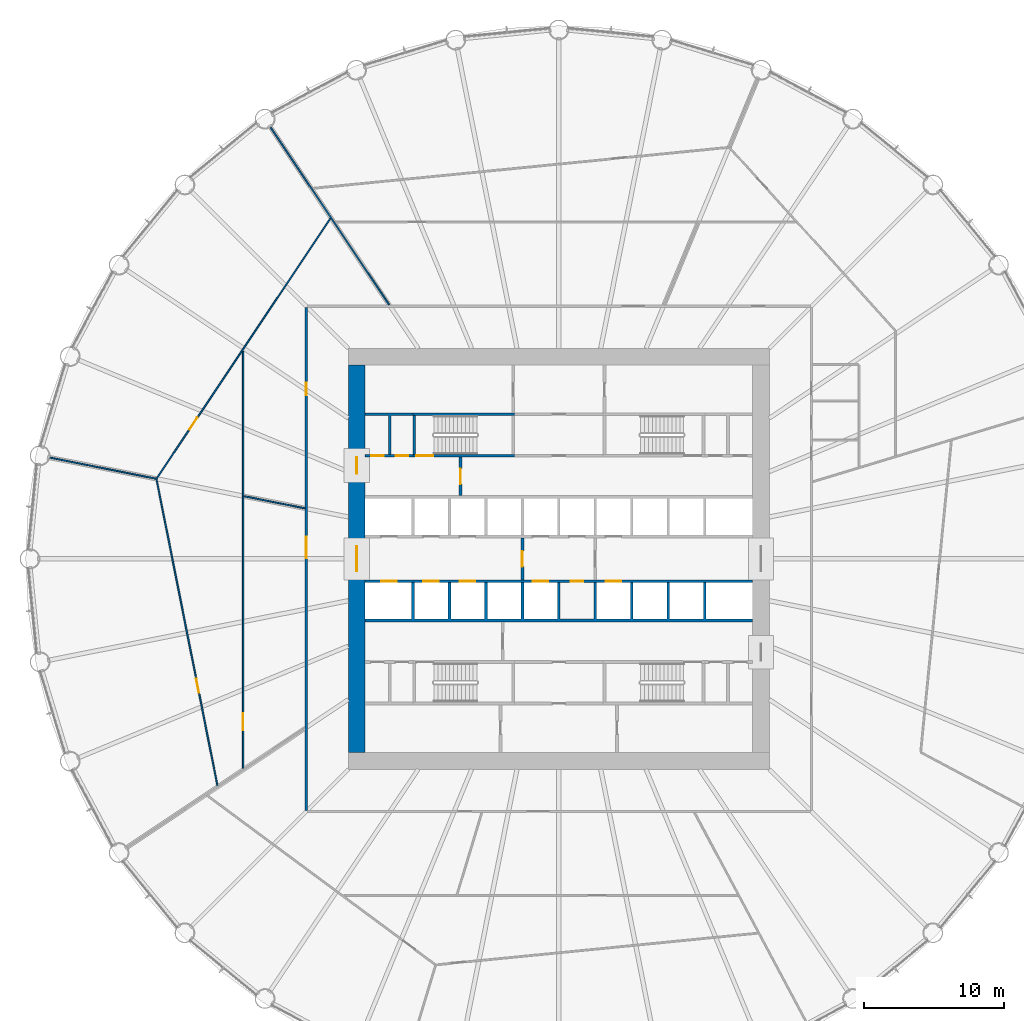
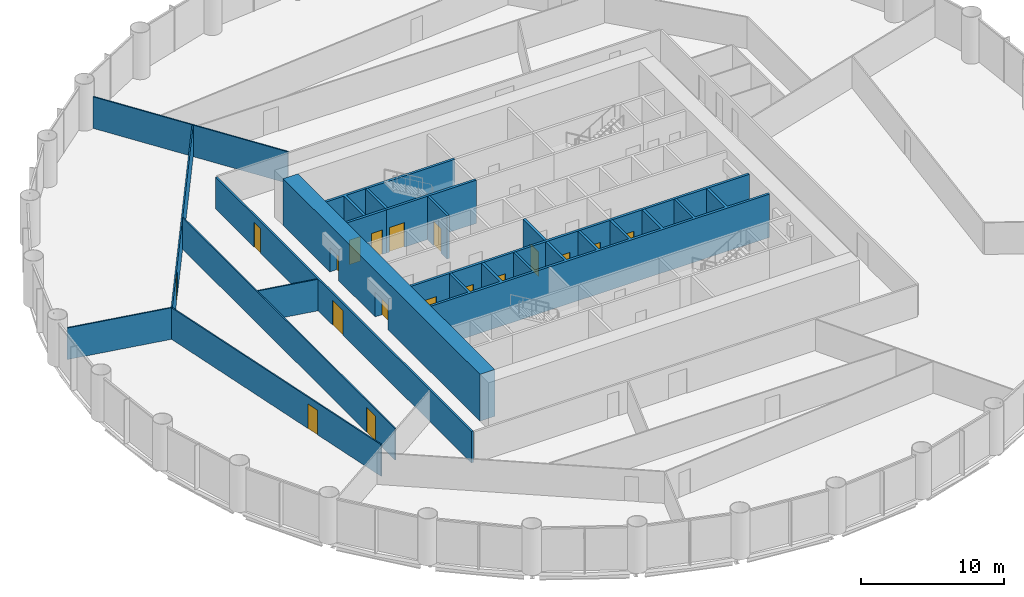
# One storey, part 11 of 14: 18 doors, 17 walls, 18 openings.
"""IFC4 building model written with IfcOpenShell, lengths in metres."""

from ifc_helpers import new_model, si_unit, direction, frame, frame_2d, origin, place, context, subcontext, project, spatial, polyline, rectangle, outline, extrude, material, layer, layer_set, type_object, element, fill, save


model = new_model("IFC4")

# Units and contexts
model_context = context("Model", 3, precision=1e-05, world=origin(), true_north=direction((0.0, 1.0)))
body_context = subcontext(model_context, "Body", "Model", "MODEL_VIEW")
ifc_project = project(units=[si_unit("LENGTHUNIT", "METRE"), si_unit("AREAUNIT", "SQUARE_METRE"), si_unit("VOLUMEUNIT", "CUBIC_METRE"), si_unit("PLANEANGLEUNIT", "RADIAN"), si_unit("MASSUNIT", "GRAM", prefix="KILO")], contexts=[model_context])

# Site, building, storey
site_placement = place(None, origin())
site = spatial("IfcSite", under=ifc_project, at=site_placement, CompositionType="ELEMENT")
building_placement = place(site_placement, origin())
building = spatial("IfcBuilding", under=site, at=building_placement, Name="Corvane Civic Tower", CompositionType="ELEMENT")
storey_placement = place(building_placement, frame((0.0, 0.0, 49.0)))
storey = spatial("IfcBuildingStorey", under=building, at=storey_placement, Name="L10", CompositionType="ELEMENT", Elevation=49.0)

# Wall, openings, doors
ifc_material_1 = material(Name="Concrete C80/95", Category="concrete")
ifc_layer_1 = layer(ifc_material_1, 1.199951171875)
ifc_layer_set_1 = layer_set([ifc_layer_1], Name="Concrete C80/95")
wall_type_1 = type_object("IfcWallType", Name="CORE WALL 1200 C80/95", PredefinedType="SHEAR", material=ifc_layer_set_1)
wall_1_placement = place(storey_placement, frame((-14.39990234375, -13.800048828125, 0.0), z_axis=(0.0, 0.0, 1.0), x_axis=(0.0, 1.0, 0.0)))
wall_1 = element("IfcWall", 1, at=wall_1_placement, inside=storey, type_object=wall_type_1, Name="W-L10-core-W", PredefinedType="SHEAR", context=body_context, shape_type="SweptSolid", body=[
    extrude(rectangle(XDim=27.60009765625, YDim=1.199951171875, at=frame_2d((13.800048828125, 0.0))), origin(), (0.0, 0.0, 1.0), 4.0),
])
opening_1_placement = place(wall_1_placement, frame((12.89990234375, 0.0, 0.0)))
opening_1 = element("IfcOpeningElement", 2, at=opening_1_placement, cuts=wall_1, Name="Opening L10.C26", PredefinedType="OPENING", context=body_context, shape_type="SweptSolid", body=[
    extrude(rectangle(XDim=1.800048828125, YDim=2.10009765625, at=frame_2d((0.89990234375, 1.050048828125))), frame((0.0, 0.60986328125, 0.0), z_axis=(0.0, -1.0, 0.0), x_axis=(1.0, 0.0, 0.0)), (0.0, 0.0, 1.0), 1.219970703125),
])
opening_2_placement = place(wall_1_placement, frame((19.85009765625, 0.0, 0.0)))
opening_2 = element("IfcOpeningElement", 3, at=opening_2_placement, cuts=wall_1, Name="Opening L10.C28", PredefinedType="OPENING", context=body_context, shape_type="SweptSolid", body=[
    extrude(rectangle(XDim=1.199951171875, YDim=2.10009765625, at=frame_2d((0.60009765625, 1.050048828125))), frame((0.0, 0.60986328125, 0.0), z_axis=(0.0, -1.0, 0.0), x_axis=(1.0, 0.0, 0.0)), (0.0, 0.0, 1.0), 1.219970703125),
])
ifc_material_2 = material(Name="Steel fire door leaf", Category="steel")
door_type_1 = type_object("IfcDoorType", Name="CR-DOOR-CORE-1800", OperationType="DOUBLE_DOOR_SINGLE_SWING", PredefinedType="DOOR", material=ifc_material_2)
door_1_placement = place(opening_1_placement, origin())
door_1 = element("IfcDoor", 4, at=door_1_placement, inside=storey, type_object=door_type_1, Name="L10 door", OperationType="DOUBLE_DOOR_SINGLE_SWING", OverallHeight=2.10009765625, OverallWidth=1.800048828125, PredefinedType="DOOR", context=body_context, shape_type="SweptSolid", body=[
    extrude(rectangle(XDim=1.800048828125, YDim=2.10009765625, at=frame_2d((0.89990234375, 1.050048828125))), frame((0.0, 0.02490234375, 0.0), z_axis=(0.0, -1.0, 0.0), x_axis=(1.0, 0.0, 0.0)), (0.0, 0.0, 1.0), 0.050048828125),
])
fill(opening_1, door_1)
door_2_placement = place(opening_2_placement, origin())
door_2 = element("IfcDoor", 5, at=door_2_placement, inside=storey, type_object=door_type_1, Name="L10 door", OperationType="DOUBLE_DOOR_SINGLE_SWING", OverallHeight=2.10009765625, OverallWidth=1.199951171875, PredefinedType="DOOR", context=body_context, shape_type="SweptSolid", body=[
    extrude(rectangle(XDim=1.199951171875, YDim=2.10009765625, at=frame_2d((0.60009765625, 1.050048828125))), frame((0.0, 0.02490234375, 0.0), z_axis=(0.0, -1.0, 0.0), x_axis=(1.0, 0.0, 0.0)), (0.0, 0.0, 1.0), 0.050048828125),
])
fill(opening_2, door_2)

ifc_material_3 = material(Name="Concrete C30/37", Category="concrete")
ifc_layer_2 = layer(ifc_material_3, 0.199951171875)
ifc_layer_set_2 = layer_set([ifc_layer_2], Name="Concrete C30/37")
wall_type_2 = type_object("IfcWallType", Name="CR-WALL-200", PredefinedType="PARTITIONING", material=ifc_layer_set_2)
wall_2_placement = place(storey_placement, frame((-13.800048828125, -1.60009765625, 0.0), z_axis=(0.0, 0.0, 1.0), x_axis=(1.0, 0.0, 0.0)))
wall_2 = element("IfcWall", 6, at=wall_2_placement, inside=storey, type_object=wall_type_2, Name="L10 lift shaft wall", PredefinedType="PARTITIONING", context=body_context, shape_type="SweptSolid", body=[
    extrude(rectangle(XDim=27.60009765625, YDim=0.199951171875, at=frame_2d((13.800048828125, 0.0))), origin(), (0.0, 0.0, 1.0), 3.699951171875),
])
opening_3_placement = place(wall_2_placement, frame((1.14990234375, 0.0, 0.0)))
opening_3 = element("IfcOpeningElement", 7, at=opening_3_placement, cuts=wall_2, Name="Opening LD", PredefinedType="OPENING", context=body_context, shape_type="SweptSolid", body=[
    extrude(rectangle(XDim=1.10009765625, YDim=2.10009765625, at=frame_2d((0.550048828125, 1.050048828125))), frame((0.0, 0.10986328125, 0.0), z_axis=(0.0, -1.0, 0.0), x_axis=(1.0, 0.0, 0.0)), (0.0, 0.0, 1.0), 0.219970703125),
])
opening_4_placement = place(wall_2_placement, frame((4.14990234375, 0.0, 0.0)))
opening_4 = element("IfcOpeningElement", 8, at=opening_4_placement, cuts=wall_2, Name="Opening LD", PredefinedType="OPENING", context=body_context, shape_type="SweptSolid", body=[
    extrude(rectangle(XDim=1.10009765625, YDim=2.10009765625, at=frame_2d((0.550048828125, 1.050048828125))), frame((0.0, 0.10986328125, 0.0), z_axis=(0.0, -1.0, 0.0), x_axis=(1.0, 0.0, 0.0)), (0.0, 0.0, 1.0), 0.219970703125),
])
opening_5_placement = place(wall_2_placement, frame((6.75, 0.0, 0.0)))
opening_5 = element("IfcOpeningElement", 9, at=opening_5_placement, cuts=wall_2, Name="Opening LD", PredefinedType="OPENING", context=body_context, shape_type="SweptSolid", body=[
    extrude(rectangle(XDim=1.10009765625, YDim=2.10009765625, at=frame_2d((0.550048828125, 1.050048828125))), frame((0.0, 0.10986328125, 0.0), z_axis=(0.0, -1.0, 0.0), x_axis=(1.0, 0.0, 0.0)), (0.0, 0.0, 1.0), 0.219970703125),
])
opening_6_placement = place(wall_2_placement, frame((11.949951171875, 0.0, 0.0)))
opening_6 = element("IfcOpeningElement", 10, at=opening_6_placement, cuts=wall_2, Name="Opening LD", PredefinedType="OPENING", context=body_context, shape_type="SweptSolid", body=[
    extrude(rectangle(XDim=1.10009765625, YDim=2.10009765625, at=frame_2d((0.550048828125, 1.050048828125))), frame((0.0, 0.10986328125, 0.0), z_axis=(0.0, -1.0, 0.0), x_axis=(1.0, 0.0, 0.0)), (0.0, 0.0, 1.0), 0.219970703125),
])
opening_7_placement = place(wall_2_placement, frame((14.64990234375, 0.0, 0.0)))
opening_7 = element("IfcOpeningElement", 11, at=opening_7_placement, cuts=wall_2, Name="Opening L10.C01", PredefinedType="OPENING", context=body_context, shape_type="SweptSolid", body=[
    extrude(rectangle(XDim=0.89990234375, YDim=2.10009765625, at=frame_2d((0.449951171875, 1.050048828125))), frame((0.0, 0.10986328125, 0.0), z_axis=(0.0, -1.0, 0.0), x_axis=(1.0, 0.0, 0.0)), (0.0, 0.0, 1.0), 0.219970703125),
])
opening_8_placement = place(wall_2_placement, frame((17.14990234375, 0.0, 0.0)))
opening_8 = element("IfcOpeningElement", 12, at=opening_8_placement, cuts=wall_2, Name="Opening LD", PredefinedType="OPENING", context=body_context, shape_type="SweptSolid", body=[
    extrude(rectangle(XDim=1.10009765625, YDim=2.10009765625, at=frame_2d((0.550048828125, 1.050048828125))), frame((0.0, 0.10986328125, 0.0), z_axis=(0.0, -1.0, 0.0), x_axis=(1.0, 0.0, 0.0)), (0.0, 0.0, 1.0), 0.219970703125),
])
ifc_material_4 = material(Name="Steel fire door leaf", Category="steel")
door_type_2 = type_object("IfcDoorType", Name="CR-DOOR-900", OperationType="SINGLE_SWING_LEFT", PredefinedType="DOOR", material=ifc_material_4)
door_3_placement = place(opening_7_placement, origin())
door_3 = element("IfcDoor", 13, at=door_3_placement, inside=storey, type_object=door_type_2, Name="L10 door", OperationType="SINGLE_SWING_LEFT", OverallHeight=2.10009765625, OverallWidth=0.89990234375, PredefinedType="DOOR", context=body_context, shape_type="SweptSolid", body=[
    extrude(rectangle(XDim=0.89990234375, YDim=2.10009765625, at=frame_2d((0.449951171875, 1.050048828125))), frame((0.0, 0.02490234375, 0.0), z_axis=(0.0, -1.0, 0.0), x_axis=(1.0, 0.0, 0.0)), (0.0, 0.0, 1.0), 0.050048828125),
])
fill(opening_7, door_3)
ifc_material_5 = material(Name="Stainless steel 316 door leaves", Category="steel")
door_type_3 = type_object("IfcDoorType", Name="LD", OperationType="DOUBLE_DOOR_SLIDING", PredefinedType="DOOR", material=ifc_material_5)
door_4_placement = place(opening_3_placement, origin())
door_4 = element("IfcDoor", 14, at=door_4_placement, inside=storey, type_object=door_type_3, Name="L10 landing door", OperationType="DOUBLE_DOOR_SLIDING", OverallHeight=2.10009765625, OverallWidth=1.10009765625, PredefinedType="DOOR", context=body_context, shape_type="SweptSolid", body=[
    extrude(rectangle(XDim=1.10009765625, YDim=2.10009765625, at=frame_2d((0.550048828125, 1.050048828125))), frame((0.0, 0.02490234375, 0.0), z_axis=(0.0, -1.0, 0.0), x_axis=(1.0, 0.0, 0.0)), (0.0, 0.0, 1.0), 0.050048828125),
])
fill(opening_3, door_4)
door_5_placement = place(opening_4_placement, origin())
door_5 = element("IfcDoor", 15, at=door_5_placement, inside=storey, type_object=door_type_3, Name="L10 landing door", OperationType="DOUBLE_DOOR_SLIDING", OverallHeight=2.10009765625, OverallWidth=1.10009765625, PredefinedType="DOOR", context=body_context, shape_type="SweptSolid", body=[
    extrude(rectangle(XDim=1.10009765625, YDim=2.10009765625, at=frame_2d((0.550048828125, 1.050048828125))), frame((0.0, 0.02490234375, 0.0), z_axis=(0.0, -1.0, 0.0), x_axis=(1.0, 0.0, 0.0)), (0.0, 0.0, 1.0), 0.050048828125),
])
fill(opening_4, door_5)
door_6_placement = place(opening_5_placement, origin())
door_6 = element("IfcDoor", 16, at=door_6_placement, inside=storey, type_object=door_type_3, Name="L10 landing door", OperationType="DOUBLE_DOOR_SLIDING", OverallHeight=2.10009765625, OverallWidth=1.10009765625, PredefinedType="DOOR", context=body_context, shape_type="SweptSolid", body=[
    extrude(rectangle(XDim=1.10009765625, YDim=2.10009765625, at=frame_2d((0.550048828125, 1.050048828125))), frame((0.0, 0.02490234375, 0.0), z_axis=(0.0, -1.0, 0.0), x_axis=(1.0, 0.0, 0.0)), (0.0, 0.0, 1.0), 0.050048828125),
])
fill(opening_5, door_6)
door_7_placement = place(opening_6_placement, origin())
door_7 = element("IfcDoor", 17, at=door_7_placement, inside=storey, type_object=door_type_3, Name="L10 landing door", OperationType="DOUBLE_DOOR_SLIDING", OverallHeight=2.10009765625, OverallWidth=1.10009765625, PredefinedType="DOOR", context=body_context, shape_type="SweptSolid", body=[
    extrude(rectangle(XDim=1.10009765625, YDim=2.10009765625, at=frame_2d((0.550048828125, 1.050048828125))), frame((0.0, 0.02490234375, 0.0), z_axis=(0.0, -1.0, 0.0), x_axis=(1.0, 0.0, 0.0)), (0.0, 0.0, 1.0), 0.050048828125),
])
fill(opening_6, door_7)
door_8_placement = place(opening_8_placement, origin())
door_8 = element("IfcDoor", 18, at=door_8_placement, inside=storey, type_object=door_type_3, Name="L10 landing door", OperationType="DOUBLE_DOOR_SLIDING", OverallHeight=2.10009765625, OverallWidth=1.10009765625, PredefinedType="DOOR", context=body_context, shape_type="SweptSolid", body=[
    extrude(rectangle(XDim=1.10009765625, YDim=2.10009765625, at=frame_2d((0.550048828125, 1.050048828125))), frame((0.0, 0.02490234375, 0.0), z_axis=(0.0, -1.0, 0.0), x_axis=(1.0, 0.0, 0.0)), (0.0, 0.0, 1.0), 0.050048828125),
])
fill(opening_8, door_8)

wall_3_placement = place(storey_placement, frame((-13.800048828125, 7.35009765625, 0.0), z_axis=(0.0, 0.0, 1.0), x_axis=(1.0, 0.0, 0.0)))
wall_3 = element("IfcWall", 19, at=wall_3_placement, inside=storey, type_object=wall_type_2, Name="L10 core partition wall", PredefinedType="PARTITIONING", context=body_context, shape_type="SweptSolid", body=[
    extrude(rectangle(XDim=3.400146484375, YDim=0.199951171875, at=frame_2d((1.7001953125, 0.0))), origin(), (0.0, 0.0, 1.0), 3.699951171875),
])
opening_9_placement = place(wall_3_placement, frame((0.425048828125, 0.0, 0.0)))
opening_9 = element("IfcOpeningElement", 20, at=opening_9_placement, cuts=wall_3, Name="Opening L10.C10", PredefinedType="OPENING", context=body_context, shape_type="SweptSolid", body=[
    extrude(rectangle(XDim=0.89990234375, YDim=2.10009765625, at=frame_2d((0.449951171875, 1.050048828125))), frame((0.0, 0.10986328125, 0.0), z_axis=(0.0, -1.0, 0.0), x_axis=(1.0, 0.0, 0.0)), (0.0, 0.0, 1.0), 0.219970703125),
])
opening_10_placement = place(wall_3_placement, frame((2.175048828125, 0.0, 0.0)))
opening_10 = element("IfcOpeningElement", 21, at=opening_10_placement, cuts=wall_3, Name="Opening L10.C11", PredefinedType="OPENING", context=body_context, shape_type="SweptSolid", body=[
    extrude(rectangle(XDim=0.89990234375, YDim=2.10009765625, at=frame_2d((0.449951171875, 1.050048828125))), frame((0.0, 0.10986328125, 0.0), z_axis=(0.0, -1.0, 0.0), x_axis=(1.0, 0.0, 0.0)), (0.0, 0.0, 1.0), 0.219970703125),
])
door_9_placement = place(opening_9_placement, origin())
door_9 = element("IfcDoor", 22, at=door_9_placement, inside=storey, type_object=door_type_2, Name="L10 door", OperationType="SINGLE_SWING_LEFT", OverallHeight=2.10009765625, OverallWidth=0.89990234375, PredefinedType="DOOR", context=body_context, shape_type="SweptSolid", body=[
    extrude(rectangle(XDim=0.89990234375, YDim=2.10009765625, at=frame_2d((0.449951171875, 1.050048828125))), frame((0.0, 0.02490234375, 0.0), z_axis=(0.0, -1.0, 0.0), x_axis=(1.0, 0.0, 0.0)), (0.0, 0.0, 1.0), 0.050048828125),
])
fill(opening_9, door_9)
door_10_placement = place(opening_10_placement, origin())
door_10 = element("IfcDoor", 23, at=door_10_placement, inside=storey, type_object=door_type_2, Name="L10 door", OperationType="SINGLE_SWING_LEFT", OverallHeight=2.10009765625, OverallWidth=0.89990234375, PredefinedType="DOOR", context=body_context, shape_type="SweptSolid", body=[
    extrude(rectangle(XDim=0.89990234375, YDim=2.10009765625, at=frame_2d((0.449951171875, 1.050048828125))), frame((0.0, 0.02490234375, 0.0), z_axis=(0.0, -1.0, 0.0), x_axis=(1.0, 0.0, 0.0)), (0.0, 0.0, 1.0), 0.050048828125),
])
fill(opening_10, door_10)

# Wall, opening, door
wall_4_placement = place(storey_placement, frame((-7.0, 4.5, 0.0), z_axis=(0.0, 0.0, 1.0), x_axis=(0.0, 1.0, 0.0)))
wall_4 = element("IfcWall", 24, at=wall_4_placement, inside=storey, type_object=wall_type_2, Name="L10 core partition wall", PredefinedType="PARTITIONING", context=body_context, shape_type="SweptSolid", body=[
    extrude(rectangle(XDim=2.75, YDim=0.199951171875, at=frame_2d((1.375, 0.0))), origin(), (0.0, 0.0, 1.0), 3.699951171875),
])
opening_11_placement = place(wall_4_placement, frame((0.824951171875, 0.0, 0.0)))
opening_11 = element("IfcOpeningElement", 25, at=opening_11_placement, cuts=wall_4, Name="Opening L10.C24", PredefinedType="OPENING", context=body_context, shape_type="SweptSolid", body=[
    extrude(rectangle(XDim=1.10009765625, YDim=2.10009765625, at=frame_2d((0.550048828125, 1.050048828125))), frame((0.0, 0.10986328125, 0.0), z_axis=(0.0, -1.0, 0.0), x_axis=(1.0, 0.0, 0.0)), (0.0, 0.0, 1.0), 0.219970703125),
])
ifc_material_6 = material(Name="Steel fire door leaf", Category="steel")
door_type_4 = type_object("IfcDoorType", Name="CR-DOOR-FFL-1100", OperationType="SINGLE_SWING_LEFT", PredefinedType="DOOR", material=ifc_material_6)
door_11_placement = place(opening_11_placement, origin())
door_11 = element("IfcDoor", 26, at=door_11_placement, inside=storey, type_object=door_type_4, Name="L10 lobby door", OperationType="SINGLE_SWING_LEFT", OverallHeight=2.10009765625, OverallWidth=1.10009765625, PredefinedType="DOOR", context=body_context, shape_type="SweptSolid", body=[
    extrude(rectangle(XDim=1.10009765625, YDim=2.10009765625, at=frame_2d((0.550048828125, 1.050048828125))), frame((0.0, 0.02490234375, 0.0), z_axis=(0.0, -1.0, 0.0), x_axis=(1.0, 0.0, 0.0)), (0.0, 0.0, 1.0), 0.050048828125),
])
fill(opening_11, door_11)

wall_5_placement = place(storey_placement, frame((-2.60009765625, -1.5, 0.0), z_axis=(0.0, 0.0, 1.0), x_axis=(0.0, 1.0, 0.0)))
wall_5 = element("IfcWall", 27, at=wall_5_placement, inside=storey, type_object=wall_type_2, Name="L10 firefighting lobby wall", PredefinedType="PARTITIONING", context=body_context, shape_type="SweptSolid", body=[
    extrude(rectangle(XDim=3.0, YDim=0.199951171875, at=frame_2d((1.5, 0.0))), origin(), (0.0, 0.0, 1.0), 3.699951171875),
])
opening_12_placement = place(wall_5_placement, frame((0.949951171875, 0.0, 0.0)))
opening_12 = element("IfcOpeningElement", 28, at=opening_12_placement, cuts=wall_5, Name="Opening L10.C22", PredefinedType="OPENING", context=body_context, shape_type="SweptSolid", body=[
    extrude(rectangle(XDim=1.10009765625, YDim=2.10009765625, at=frame_2d((0.550048828125, 1.050048828125))), frame((0.0, 0.10986328125, 0.0), z_axis=(0.0, -1.0, 0.0), x_axis=(1.0, 0.0, 0.0)), (0.0, 0.0, 1.0), 0.219970703125),
])
door_12_placement = place(opening_12_placement, origin())
door_12 = element("IfcDoor", 29, at=door_12_placement, inside=storey, type_object=door_type_4, Name="L10 lobby door", OperationType="SINGLE_SWING_LEFT", OverallHeight=2.10009765625, OverallWidth=1.10009765625, PredefinedType="DOOR", context=body_context, shape_type="SweptSolid", body=[
    extrude(rectangle(XDim=1.10009765625, YDim=2.10009765625, at=frame_2d((0.550048828125, 1.050048828125))), frame((0.0, 0.02490234375, 0.0), z_axis=(0.0, -1.0, 0.0), x_axis=(1.0, 0.0, 0.0)), (0.0, 0.0, 1.0), 0.050048828125),
])
fill(opening_12, door_12)

# Walls
wall_6_placement = place(storey_placement, origin())
element("IfcWall", 30, at=wall_6_placement, inside=storey, type_object=wall_type_2, Name="L10 core partition wall", PredefinedType="PARTITIONING", context=body_context, shape_type="SweptSolid", body=[
    extrude(outline(polyline([(-13.800048828125, 10.39990234375), (-10.39990234375, 10.39990234375), (-10.39990234375, 10.199951171875), (-11.949951171875, 10.199951171875), (-11.949951171875, 7.449951171875), (-12.14990234375, 7.449951171875), (-12.14990234375, 10.199951171875), (-13.800048828125, 10.199951171875), (-13.800048828125, 10.39990234375)])), origin(), (0.0, 0.0, 1.0), 3.699951171875),
])
wall_7_placement = place(storey_placement, origin())
element("IfcWall", 31, at=wall_7_placement, inside=storey, type_object=wall_type_2, Name="L10 core partition wall", PredefinedType="PARTITIONING", context=body_context, shape_type="SweptSolid", body=[
    extrude(outline(polyline([(-10.300048828125, -1.699951171875), (-10.300048828125, -4.300048828125), (-7.89990234375, -4.300048828125), (-7.89990234375, -1.699951171875), (-7.699951171875, -1.699951171875), (-7.699951171875, -4.300048828125), (-5.300048828125, -4.300048828125), (-5.300048828125, -1.699951171875), (-5.10009765625, -1.699951171875), (-5.10009765625, -4.300048828125), (-2.699951171875, -4.300048828125), (-2.699951171875, -1.699951171875), (-2.5, -1.699951171875), (-2.5, -4.300048828125), (-0.10009765625, -4.300048828125), (-0.10009765625, -1.699951171875), (0.10009765625, -1.699951171875), (0.10009765625, -4.300048828125), (2.5, -4.300048828125), (2.5, -1.699951171875), (2.699951171875, -1.699951171875), (2.699951171875, -4.300048828125), (5.10009765625, -4.300048828125), (5.10009765625, -1.699951171875), (5.300048828125, -1.699951171875), (5.300048828125, -4.300048828125), (7.699951171875, -4.300048828125), (7.699951171875, -1.699951171875), (7.89990234375, -1.699951171875), (7.89990234375, -4.300048828125), (10.300048828125, -4.300048828125), (10.300048828125, -1.699951171875), (10.5, -1.699951171875), (10.5, -4.300048828125), (13.800048828125, -4.300048828125), (13.800048828125, -4.5), (-13.800048828125, -4.5), (-13.800048828125, -4.300048828125), (-10.5, -4.300048828125), (-10.5, -1.699951171875), (-10.300048828125, -1.699951171875)])), origin(), (0.0, 0.0, 1.0), 3.699951171875),
])

# Wall, opening, door
ifc_material_7 = material(Name="Plasterboard")
ifc_layer_3 = layer(ifc_material_7, 0.10009765625)
ifc_layer_set_3 = layer_set([ifc_layer_3], Name="Plasterboard")
wall_type_3 = type_object("IfcWallType", Name="Partition 100 plasterboard on studs", PredefinedType="PARTITIONING", material=ifc_layer_set_3)
wall_8_placement = place(storey_placement, frame((-28.67138671875, 5.671630859375, 0.0), z_axis=(0.0, 0.0, 1.0), x_axis=(0.195095693694, -0.980784211895, 0.0)))
wall_8 = element("IfcWall", 32, at=wall_8_placement, inside=storey, type_object=wall_type_3, Name="Partition L10.012", PredefinedType="PARTITIONING", context=body_context, shape_type="SweptSolid", body=[
    extrude(rectangle(XDim=22.27099609375, YDim=0.10009765625, at=frame_2d((11.135498046875, 0.0))), origin(), (0.0, 0.0, 1.0), 2.699951171875),
])
opening_13_placement = place(wall_8_placement, frame((14.500244140625, 0.0, 0.0)))
opening_13 = element("IfcOpeningElement", 33, at=opening_13_placement, cuts=wall_8, Name="Opening L10.016", PredefinedType="OPENING", context=body_context, shape_type="SweptSolid", body=[
    extrude(rectangle(XDim=1.0, YDim=2.10009765625, at=frame_2d((0.5, 1.050048828125))), frame((0.0, 0.06005859375, 0.0), z_axis=(0.0, -1.0, 0.0), x_axis=(1.0, 0.0, 0.0)), (0.0, 0.0, 1.0), 0.1201171875),
])
ifc_material_8 = material(Name="Timber", Category="wood")
door_type_5 = type_object("IfcDoorType", Name="Single door 1000", OperationType="NOTDEFINED", PredefinedType="DOOR", material=ifc_material_8)
door_13_placement = place(opening_13_placement, frame((1.0, 0.0, 0.0), z_axis=(0.0, 0.0, 1.0), x_axis=(-1.0, 0.0, 0.0)))
door_13 = element("IfcDoor", 34, at=door_13_placement, inside=storey, type_object=door_type_5, Name="Door L10.016", OperationType="SINGLE_SWING_LEFT", OverallHeight=2.10009765625, OverallWidth=1.0, PredefinedType="DOOR", context=body_context, shape_type="SweptSolid", body=[
    extrude(rectangle(XDim=1.0, YDim=2.10009765625, at=frame_2d((0.5, 1.050048828125))), frame((0.0, 0.02490234375, 0.0), z_axis=(0.0, -1.0, 0.0), x_axis=(1.0, 0.0, 0.0)), (0.0, 0.0, 1.0), 0.050048828125),
])
fill(opening_13, door_13)

wall_9_placement = place(storey_placement, frame((-22.5, -14.9404296875, 0.0), z_axis=(0.0, 0.0, 1.0), x_axis=(0.0, 1.0, 0.0)))
wall_9 = element("IfcWall", 35, at=wall_9_placement, inside=storey, type_object=wall_type_3, Name="Partition L10.013", PredefinedType="PARTITIONING", context=body_context, shape_type="SweptSolid", body=[
    extrude(rectangle(XDim=29.725830078125, YDim=0.10009765625, at=frame_2d((14.86279296875, 0.0))), origin(), (0.0, 0.0, 1.0), 2.699951171875),
])
opening_14_placement = place(wall_9_placement, frame((2.739013671875, 0.0, 0.0)))
opening_14 = element("IfcOpeningElement", 36, at=opening_14_placement, cuts=wall_9, Name="Opening L10.018", PredefinedType="OPENING", context=body_context, shape_type="SweptSolid", body=[
    extrude(rectangle(XDim=1.199951171875, YDim=2.10009765625, at=frame_2d((0.60009765625, 1.050048828125))), frame((0.0, 0.06005859375, 0.0), z_axis=(0.0, -1.0, 0.0), x_axis=(1.0, 0.0, 0.0)), (0.0, 0.0, 1.0), 0.1201171875),
])
ifc_material_9 = material(Name="Timber", Category="wood")
door_type_6 = type_object("IfcDoorType", Name="Double door 1200", OperationType="NOTDEFINED", PredefinedType="DOOR", material=ifc_material_9)
door_14_placement = place(opening_14_placement, origin())
door_14 = element("IfcDoor", 37, at=door_14_placement, inside=storey, type_object=door_type_6, Name="Door L10.018", OperationType="DOUBLE_DOOR_SINGLE_SWING", OverallHeight=2.10009765625, OverallWidth=1.199951171875, PredefinedType="DOOR", context=body_context, shape_type="SweptSolid", body=[
    extrude(rectangle(XDim=1.199951171875, YDim=2.10009765625, at=frame_2d((0.60009765625, 1.050048828125))), frame((0.0, 0.02490234375, 0.0), z_axis=(0.0, -1.0, 0.0), x_axis=(1.0, 0.0, 0.0)), (0.0, 0.0, 1.0), 0.050048828125),
])
fill(opening_14, door_14)

# Walls
wall_10_placement = place(storey_placement, frame((-22.440185546875, 4.463623046875, 0.0), z_axis=(0.0, 0.0, 1.0), x_axis=(0.980791556136, -0.195058769124, 0.0)))
element("IfcWall", 38, at=wall_10_placement, inside=storey, type_object=wall_type_3, Name="Partition L10.015", PredefinedType="PARTITIONING", context=body_context, shape_type="SweptSolid", body=[
    extrude(rectangle(XDim=4.440673828125, YDim=0.10009765625, at=frame_2d((2.22021484375, 0.0))), origin(), (0.0, 0.0, 1.0), 2.699951171875),
])
wall_11_placement = place(storey_placement, frame((-36.279296875, 7.21630859375, 0.0), z_axis=(0.0, 0.0, 1.0), x_axis=(0.980788199921, -0.195075644035, 0.0)))
element("IfcWall", 39, at=wall_11_placement, inside=storey, type_object=wall_type_3, Name="Partition L10.017", PredefinedType="PARTITIONING", context=body_context, shape_type="SweptSolid", body=[
    extrude(rectangle(XDim=7.716796875, YDim=0.10009765625, at=frame_2d((3.8583984375, 0.0))), origin(), (0.0, 0.0, 1.0), 2.699951171875),
])

# Wall, opening, door
wall_12_placement = place(storey_placement, frame((-28.659423828125, 5.732177734375, 0.0), z_axis=(0.0, 0.0, 1.0), x_axis=(0.555570132004, 0.831469679799, 0.0)))
wall_12 = element("IfcWall", 40, at=wall_12_placement, inside=storey, type_object=wall_type_3, Name="Partition L10.018", PredefinedType="PARTITIONING", context=body_context, shape_type="SweptSolid", body=[
    extrude(rectangle(XDim=22.27099609375, YDim=0.10009765625, at=frame_2d((11.135498046875, 0.0))), origin(), (0.0, 0.0, 1.0), 2.699951171875),
])
opening_15_placement = place(wall_12_placement, frame((4.207763671875, 0.0, 0.0)))
opening_15 = element("IfcOpeningElement", 41, at=opening_15_placement, cuts=wall_12, Name="Opening L10.017", PredefinedType="OPENING", context=body_context, shape_type="SweptSolid", body=[
    extrude(rectangle(XDim=1.0, YDim=2.10009765625, at=frame_2d((0.5, 1.050048828125))), frame((0.0, 0.06005859375, 0.0), z_axis=(0.0, -1.0, 0.0), x_axis=(1.0, 0.0, 0.0)), (0.0, 0.0, 1.0), 0.1201171875),
])
door_15_placement = place(opening_15_placement, origin())
door_15 = element("IfcDoor", 42, at=door_15_placement, inside=storey, type_object=door_type_5, Name="Door L10.017", OperationType="SINGLE_SWING_LEFT", OverallHeight=2.10009765625, OverallWidth=1.0, PredefinedType="DOOR", context=body_context, shape_type="SweptSolid", body=[
    extrude(rectangle(XDim=1.0, YDim=2.10009765625, at=frame_2d((0.5, 1.050048828125))), frame((0.0, 0.02490234375, 0.0), z_axis=(0.0, -1.0, 0.0), x_axis=(1.0, 0.0, 0.0)), (0.0, 0.0, 1.0), 0.050048828125),
])
fill(opening_15, door_15)

# Wall
wall_13_placement = place(storey_placement, frame((-20.550537109375, 30.756103515625, 0.0), z_axis=(0.0, 0.0, 1.0), x_axis=(0.555566213074, -0.83147229833, 0.0)))
element("IfcWall", 43, at=wall_13_placement, inside=storey, type_object=wall_type_3, Name="Partition L10.027", PredefinedType="PARTITIONING", context=body_context, shape_type="SweptSolid", body=[
    extrude(rectangle(XDim=15.218017578125, YDim=0.10009765625, at=frame_2d((7.60888671875, 0.0))), origin(), (0.0, 0.0, 1.0), 2.699951171875),
])

# Wall, opening, door
ifc_material_10 = material(Name="Concrete C50/60", Category="concrete")
ifc_layer_4 = layer(ifc_material_10, 0.199951171875)
ifc_layer_set_4 = layer_set([ifc_layer_4], Name="Concrete C50/60")
wall_type_4 = type_object("IfcWallType", Name="ST-WALL-200", PredefinedType="SHEAR", material=ifc_layer_set_4)
wall_14_placement = place(storey_placement, frame((-10.39990234375, 7.35009765625, 0.0), z_axis=(0.0, 0.0, 1.0), x_axis=(1.0, 0.0, 0.0)))
wall_14 = element("IfcWall", 44, at=wall_14_placement, inside=storey, type_object=wall_type_4, Name="L10 stair enclosure wall", PredefinedType="SHEAR", context=body_context, shape_type="SweptSolid", body=[
    extrude(rectangle(XDim=7.25, YDim=0.199951171875, at=frame_2d((3.625, 0.0))), origin(), (0.0, 0.0, 1.0), 3.699951171875),
])
opening_16_placement = place(wall_14_placement, frame((0.25, 0.0, 0.0)))
opening_16 = element("IfcOpeningElement", 45, at=opening_16_placement, cuts=wall_14, Name="Opening L10.C19", PredefinedType="OPENING", context=body_context, shape_type="SweptSolid", body=[
    extrude(rectangle(XDim=1.199951171875, YDim=2.10009765625, at=frame_2d((0.60009765625, 1.050048828125))), frame((0.0, 0.10986328125, 0.0), z_axis=(0.0, -1.0, 0.0), x_axis=(1.0, 0.0, 0.0)), (0.0, 0.0, 1.0), 0.219970703125),
])
ifc_material_11 = material(Name="Steel fire door leaf", Category="steel")
door_type_7 = type_object("IfcDoorType", Name="ST-DOOR-1200", OperationType="SINGLE_SWING_RIGHT", PredefinedType="DOOR", material=ifc_material_11)
door_16_placement = place(opening_16_placement, origin())
door_16 = element("IfcDoor", 46, at=door_16_placement, inside=storey, type_object=door_type_7, Name="L10 stair door", OperationType="SINGLE_SWING_RIGHT", OverallHeight=2.10009765625, OverallWidth=1.199951171875, PredefinedType="DOOR", context=body_context, shape_type="SweptSolid", body=[
    extrude(rectangle(XDim=1.199951171875, YDim=2.10009765625, at=frame_2d((0.60009765625, 1.050048828125))), frame((0.0, 0.02490234375, 0.0), z_axis=(0.0, -1.0, 0.0), x_axis=(1.0, 0.0, 0.0)), (0.0, 0.0, 1.0), 0.050048828125),
])
fill(opening_16, door_16)

# Walls
wall_15_placement = place(storey_placement, origin())
element("IfcWall", 47, at=wall_15_placement, inside=storey, type_object=wall_type_4, Name="L10 stair enclosure wall", PredefinedType="SHEAR", context=body_context, shape_type="SweptSolid", body=[
    extrude(outline(polyline([(-3.14990234375, 10.199951171875), (-10.39990234375, 10.199951171875), (-10.39990234375, 10.39990234375), (-3.14990234375, 10.39990234375), (-3.14990234375, 10.199951171875)])), origin(), (0.0, 0.0, 1.0), 3.699951171875),
])
wall_16_placement = place(storey_placement, origin())
element("IfcWall", 48, at=wall_16_placement, inside=storey, type_object=wall_type_4, Name="L10 stair enclosure wall", PredefinedType="SHEAR", context=body_context, shape_type="SweptSolid", body=[
    extrude(outline(polyline([(-10.199951171875, 7.449951171875), (-10.39990234375, 7.449951171875), (-10.39990234375, 10.199951171875), (-10.199951171875, 10.199951171875), (-10.199951171875, 7.449951171875)])), origin(), (0.0, 0.0, 1.0), 3.699951171875),
])

# Wall, openings, doors
ifc_material_12 = material(Name="Plasterboard")
ifc_layer_5 = layer(ifc_material_12, 0.14990234375)
ifc_layer_set_5 = layer_set([ifc_layer_5], Name="Plasterboard")
wall_type_5 = type_object("IfcWallType", Name="Tenancy wall 150 EI 60", PredefinedType="PARTITIONING", material=ifc_layer_set_5)
wall_17_placement = place(storey_placement, frame((-18.0, -17.925048828125, 0.0), z_axis=(0.0, 0.0, 1.0), x_axis=(0.0, 1.0, 0.0)))
wall_17 = element("IfcWall", 49, at=wall_17_placement, inside=storey, type_object=wall_type_5, Name="Partition L10.009", PredefinedType="PARTITIONING", context=body_context, shape_type="SweptSolid", body=[
    extrude(rectangle(XDim=35.85009765625, YDim=0.14990234375, at=frame_2d((17.925048828125, 0.0))), origin(), (0.0, 0.0, 1.0), 2.699951171875),
])
opening_17_placement = place(wall_17_placement, frame((17.98388671875, 0.0, 0.0)))
opening_17 = element("IfcOpeningElement", 50, at=opening_17_placement, cuts=wall_17, Name="Opening L10.019", PredefinedType="OPENING", context=body_context, shape_type="SweptSolid", body=[
    extrude(rectangle(XDim=1.5, YDim=2.10009765625, at=frame_2d((0.75, 1.050048828125))), frame((0.0, 0.0849609375, 0.0), z_axis=(0.0, -1.0, 0.0), x_axis=(1.0, 0.0, 0.0)), (0.0, 0.0, 1.0), 0.169921875),
])
opening_18_placement = place(wall_17_placement, frame((29.566162109375, 0.0, 0.0)))
opening_18 = element("IfcOpeningElement", 51, at=opening_18_placement, cuts=wall_17, Name="Opening L10.020", PredefinedType="OPENING", context=body_context, shape_type="SweptSolid", body=[
    extrude(rectangle(XDim=0.89990234375, YDim=2.10009765625, at=frame_2d((0.449951171875, 1.050048828125))), frame((0.0, 0.0849609375, 0.0), z_axis=(0.0, -1.0, 0.0), x_axis=(1.0, 0.0, 0.0)), (0.0, 0.0, 1.0), 0.169921875),
])
ifc_material_13 = material(Name="Steel and timber", Category="steel")
door_type_8 = type_object("IfcDoorType", Name="Fire door FD30S 900", OperationType="NOTDEFINED", PredefinedType="DOOR", material=ifc_material_13)
door_17_placement = place(opening_18_placement, origin())
door_17 = element("IfcDoor", 52, at=door_17_placement, inside=storey, type_object=door_type_8, Name="Door L10.020", OperationType="SINGLE_SWING_LEFT", OverallHeight=2.10009765625, OverallWidth=0.89990234375, PredefinedType="DOOR", context=body_context, shape_type="SweptSolid", body=[
    extrude(rectangle(XDim=0.89990234375, YDim=2.10009765625, at=frame_2d((0.449951171875, 1.050048828125))), frame((0.0, 0.02490234375, 0.0), z_axis=(0.0, -1.0, 0.0), x_axis=(1.0, 0.0, 0.0)), (0.0, 0.0, 1.0), 0.050048828125),
])
fill(opening_18, door_17)
ifc_material_14 = material(Name="Steel and timber", Category="steel")
door_type_9 = type_object("IfcDoorType", Name="Fire door FD60 double 1500", OperationType="NOTDEFINED", PredefinedType="DOOR", material=ifc_material_14)
door_18_placement = place(opening_17_placement, origin())
door_18 = element("IfcDoor", 53, at=door_18_placement, inside=storey, type_object=door_type_9, Name="Door L10.019", OperationType="DOUBLE_DOOR_SINGLE_SWING", OverallHeight=2.10009765625, OverallWidth=1.5, PredefinedType="DOOR", context=body_context, shape_type="SweptSolid", body=[
    extrude(rectangle(XDim=1.5, YDim=2.10009765625, at=frame_2d((0.75, 1.050048828125))), frame((0.0, 0.02490234375, 0.0), z_axis=(0.0, -1.0, 0.0), x_axis=(1.0, 0.0, 0.0)), (0.0, 0.0, 1.0), 0.050048828125),
])
fill(opening_17, door_18)

save(model, "model.ifc")
